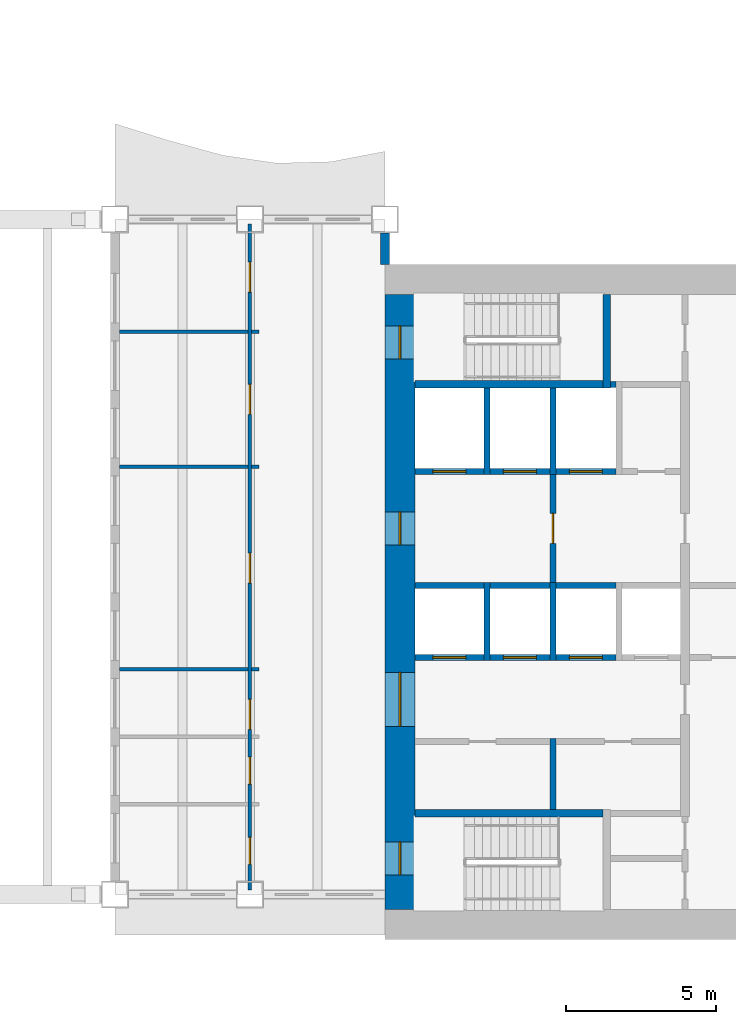
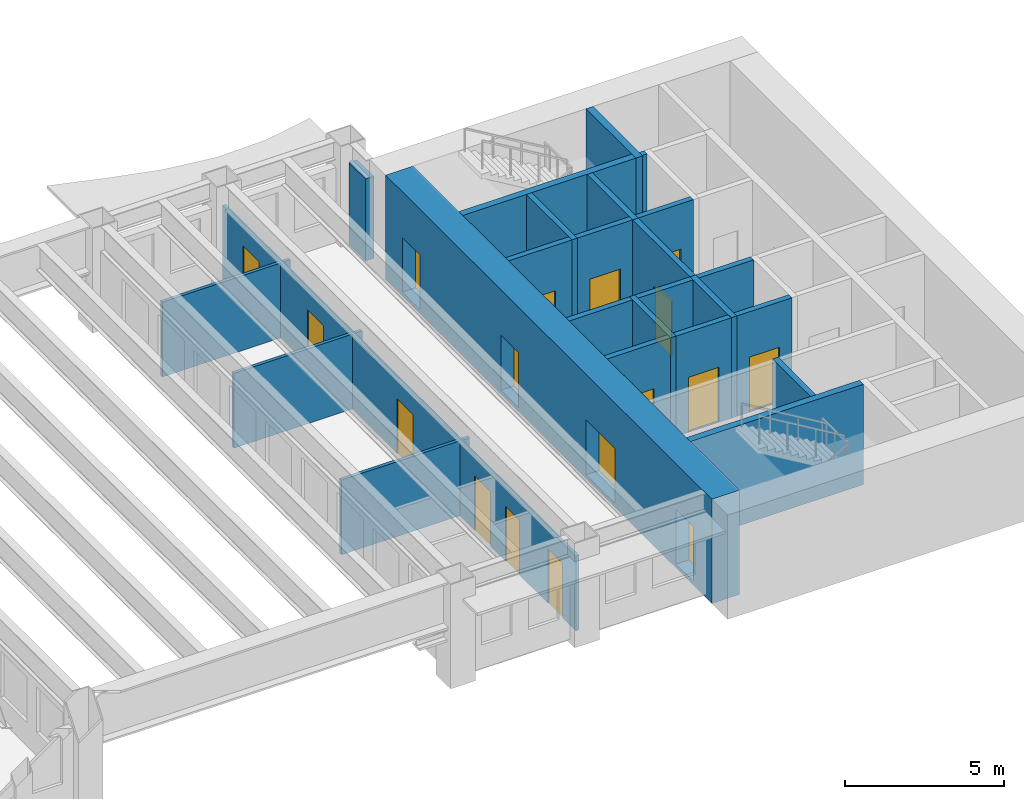
# One storey, part 6 of 13: 28 walls, 17 doors, 17 openings.
"""IFC4 building model written with IfcOpenShell, lengths in metres."""

from ifc_helpers import new_model, si_unit, direction, frame, frame_2d, origin, place, context, subcontext, project, spatial, rectangle, extrude, material, layer, layer_set, type_object, element, fill, save


model = new_model("IFC4")

# Units and contexts
model_context = context("Model", 3, precision=1e-05, world=origin(), true_north=direction((0.0, 1.0)))
body_context = subcontext(model_context, "Body", "Model", "MODEL_VIEW")
ifc_project = project(units=[si_unit("LENGTHUNIT", "METRE"), si_unit("AREAUNIT", "SQUARE_METRE"), si_unit("VOLUMEUNIT", "CUBIC_METRE"), si_unit("PLANEANGLEUNIT", "RADIAN"), si_unit("MASSUNIT", "GRAM", prefix="KILO")], contexts=[model_context])

# Site, building, storey
site_placement = place(None, origin())
site = spatial("IfcSite", under=ifc_project, at=site_placement, CompositionType="ELEMENT")
building_placement = place(site_placement, origin())
building = spatial("IfcBuilding", under=site, at=building_placement, Name="Sennacour Bend Tower", CompositionType="ELEMENT")
storey_placement = place(building_placement, frame((0.0, 0.0, 147.0)))
storey = spatial("IfcBuildingStorey", under=building, at=storey_placement, Name="L33", CompositionType="ELEMENT", Elevation=147.0)

# Wall, openings, doors
ifc_material_1 = material(Name="Concrete C60/75", Category="concrete")
ifc_layer_1 = layer(ifc_material_1, 1.0, Name="Concrete C60/75", Category="concrete")
ifc_layer_set_1 = layer_set([ifc_layer_1], Name="Concrete C60/75")
wall_type_1 = type_object("IfcWallType", Name="Core wall 1000 C60/75", PredefinedType="SHEAR", material=ifc_layer_set_1)
wall_1_placement = place(storey_placement, frame((54.5, 1.0, -0.14990234375), z_axis=(0.0, 0.0, 1.0), x_axis=(0.0, 1.0, 0.0)))
wall_1 = element("IfcWall", 1, at=wall_1_placement, inside=storey, type_object=wall_type_1, Name="Core A wall L33 W", PredefinedType="SHEAR", context=body_context, shape_type="SweptSolid", body=[
    extrude(rectangle(XDim=20.5, YDim=1.0, at=frame_2d((10.25, 0.0))), origin(), (0.0, 0.0, 1.0), 4.0),
])
opening_1_placement = place(wall_1_placement, frame((6.10009765625, 0.0, 0.14990234375)))
opening_1 = element("IfcOpeningElement", 2, at=opening_1_placement, cuts=wall_1, Name="Opening CD", PredefinedType="OPENING", context=body_context, shape_type="SweptSolid", body=[
    extrude(rectangle(XDim=1.800048828125, YDim=2.10009765625, at=frame_2d((0.89990234375, 1.050048828125))), frame((0.0, 0.510009765625, 0.0), z_axis=(0.0, -1.0, 0.0), x_axis=(1.0, 0.0, 0.0)), (0.0, 0.0, 1.0), 1.02001953125),
])
opening_2_placement = place(wall_1_placement, frame((12.14990234375, 0.0, 0.14990234375)))
opening_2 = element("IfcOpeningElement", 3, at=opening_2_placement, cuts=wall_1, Name="Opening FD", PredefinedType="OPENING", context=body_context, shape_type="SweptSolid", body=[
    extrude(rectangle(XDim=1.10009765625, YDim=2.10009765625, at=frame_2d((0.550048828125, 1.050048828125))), frame((0.0, 0.510009765625, 0.0), z_axis=(0.0, -1.0, 0.0), x_axis=(1.0, 0.0, 0.0)), (0.0, 0.0, 1.0), 1.02001953125),
])
opening_3_placement = place(wall_1_placement, frame((1.14990234375, 0.0, 0.14990234375)))
opening_3 = element("IfcOpeningElement", 4, at=opening_3_placement, cuts=wall_1, Name="Opening SD", PredefinedType="OPENING", context=body_context, shape_type="SweptSolid", body=[
    extrude(rectangle(XDim=1.10009765625, YDim=2.10009765625, at=frame_2d((0.550048828125, 1.050048828125))), frame((0.0, 0.510009765625, 0.0), z_axis=(0.0, -1.0, 0.0), x_axis=(1.0, 0.0, 0.0)), (0.0, 0.0, 1.0), 1.02001953125),
])
opening_4_placement = place(wall_1_placement, frame((18.35009765625, 0.0, 0.14990234375)))
opening_4 = element("IfcOpeningElement", 5, at=opening_4_placement, cuts=wall_1, Name="Opening SD", PredefinedType="OPENING", context=body_context, shape_type="SweptSolid", body=[
    extrude(rectangle(XDim=1.10009765625, YDim=2.10009765625, at=frame_2d((0.550048828125, 1.050048828125))), frame((0.0, 0.510009765625, 0.0), z_axis=(0.0, -1.0, 0.0), x_axis=(1.0, 0.0, 0.0)), (0.0, 0.0, 1.0), 1.02001953125),
])
ifc_material_2 = material(Name="Painted steel", Category="steel")
door_type_1 = type_object("IfcDoorType", Name="DR-FFL-1100", OperationType="NOTDEFINED", PredefinedType="DOOR", material=ifc_material_2)
door_1_placement = place(opening_2_placement, origin())
door_1 = element("IfcDoor", 6, at=door_1_placement, inside=storey, type_object=door_type_1, Name="Door", OperationType="SINGLE_SWING_RIGHT", OverallHeight=2.10009765625, OverallWidth=1.10009765625, PredefinedType="DOOR", context=body_context, shape_type="SweptSolid", body=[
    extrude(rectangle(XDim=1.10009765625, YDim=2.10009765625, at=frame_2d((0.550048828125, 1.050048828125))), frame((0.0, 0.02490234375, 0.0), z_axis=(0.0, -1.0, 0.0), x_axis=(1.0, 0.0, 0.0)), (0.0, 0.0, 1.0), 0.050048828125),
])
fill(opening_2, door_1)
door_type_2 = type_object("IfcDoorType", Name="DR-LOBBY-1800", OperationType="NOTDEFINED", PredefinedType="DOOR", material=ifc_material_2)
door_2_placement = place(opening_1_placement, origin())
door_2 = element("IfcDoor", 7, at=door_2_placement, inside=storey, type_object=door_type_2, Name="Door", OperationType="DOUBLE_DOOR_SINGLE_SWING", OverallHeight=2.10009765625, OverallWidth=1.800048828125, PredefinedType="DOOR", context=body_context, shape_type="SweptSolid", body=[
    extrude(rectangle(XDim=1.800048828125, YDim=2.10009765625, at=frame_2d((0.89990234375, 1.050048828125))), frame((0.0, 0.02490234375, 0.0), z_axis=(0.0, -1.0, 0.0), x_axis=(1.0, 0.0, 0.0)), (0.0, 0.0, 1.0), 0.050048828125),
])
fill(opening_1, door_2)
door_type_3 = type_object("IfcDoorType", Name="DR-STAIR-1100", OperationType="NOTDEFINED", PredefinedType="DOOR", material=ifc_material_2)
door_3_placement = place(opening_3_placement, origin())
door_3 = element("IfcDoor", 8, at=door_3_placement, inside=storey, type_object=door_type_3, Name="Door", OperationType="SINGLE_SWING_LEFT", OverallHeight=2.10009765625, OverallWidth=1.10009765625, PredefinedType="DOOR", context=body_context, shape_type="SweptSolid", body=[
    extrude(rectangle(XDim=1.10009765625, YDim=2.10009765625, at=frame_2d((0.550048828125, 1.050048828125))), frame((0.0, 0.02490234375, 0.0), z_axis=(0.0, -1.0, 0.0), x_axis=(1.0, 0.0, 0.0)), (0.0, 0.0, 1.0), 0.050048828125),
])
fill(opening_3, door_3)
door_4_placement = place(opening_4_placement, origin())
door_4 = element("IfcDoor", 9, at=door_4_placement, inside=storey, type_object=door_type_3, Name="Door", OperationType="SINGLE_SWING_RIGHT", OverallHeight=2.10009765625, OverallWidth=1.10009765625, PredefinedType="DOOR", context=body_context, shape_type="SweptSolid", body=[
    extrude(rectangle(XDim=1.10009765625, YDim=2.10009765625, at=frame_2d((0.550048828125, 1.050048828125))), frame((0.0, 0.02490234375, 0.0), z_axis=(0.0, -1.0, 0.0), x_axis=(1.0, 0.0, 0.0)), (0.0, 0.0, 1.0), 0.050048828125),
])
fill(opening_4, door_4)

ifc_material_3 = material(Name="Plasterboard partition on steel studs", Category="steel")
ifc_layer_2 = layer(ifc_material_3, 0.1201171875, Name="Plasterboard partition on steel studs", Category="steel")
ifc_layer_set_2 = layer_set([ifc_layer_2], Name="Plasterboard partition on steel studs")
wall_type_2 = type_object("IfcWallType", Name="Partition 120", PredefinedType="PARTITIONING", material=ifc_layer_set_2)
wall_2_placement = place(storey_placement, frame((49.5, 1.64990234375, 0.0), z_axis=(0.0, 0.0, 1.0), x_axis=(0.0, 1.0, 0.0)))
wall_2 = element("IfcWall", 10, at=wall_2_placement, inside=storey, type_object=wall_type_2, Name="P-L33-W030a", PredefinedType="PARTITIONING", context=body_context, shape_type="SweptSolid", body=[
    extrude(rectangle(XDim=22.2001953125, YDim=0.1201171875, at=frame_2d((11.10009765625, 0.0))), origin(), (0.0, 0.0, 1.0), 2.8701171875),
])
opening_5_placement = place(wall_2_placement, frame((0.85009765625, 0.0, 0.0)))
opening_5 = element("IfcOpeningElement", 11, at=opening_5_placement, cuts=wall_2, Name="Opening WD", PredefinedType="OPENING", context=body_context, shape_type="SweptSolid", body=[
    extrude(rectangle(XDim=0.89990234375, YDim=2.10009765625, at=frame_2d((0.449951171875, 1.050048828125))), frame((0.0, 0.070068359375, 0.0), z_axis=(0.0, -1.0, 0.0), x_axis=(1.0, 0.0, 0.0)), (0.0, 0.0, 1.0), 0.14013671875),
])
opening_6_placement = place(wall_2_placement, frame((3.525146484375, 0.0, 0.0)))
opening_6 = element("IfcOpeningElement", 12, at=opening_6_placement, cuts=wall_2, Name="Opening WD", PredefinedType="OPENING", context=body_context, shape_type="SweptSolid", body=[
    extrude(rectangle(XDim=0.89990234375, YDim=2.10009765625, at=frame_2d((0.449951171875, 1.050048828125))), frame((0.0, 0.070068359375, 0.0), z_axis=(0.0, -1.0, 0.0), x_axis=(1.0, 0.0, 0.0)), (0.0, 0.0, 1.0), 0.14013671875),
])
opening_7_placement = place(wall_2_placement, frame((5.35009765625, 0.0, 0.0)))
opening_7 = element("IfcOpeningElement", 13, at=opening_7_placement, cuts=wall_2, Name="Opening AD", PredefinedType="OPENING", context=body_context, shape_type="SweptSolid", body=[
    extrude(rectangle(XDim=1.0, YDim=2.10009765625, at=frame_2d((0.5, 1.050048828125))), frame((0.0, 0.070068359375, 0.0), z_axis=(0.0, -1.0, 0.0), x_axis=(1.0, 0.0, 0.0)), (0.0, 0.0, 1.0), 0.14013671875),
])
opening_8_placement = place(wall_2_placement, frame((10.22509765625, 0.0, 0.0)))
opening_8 = element("IfcOpeningElement", 14, at=opening_8_placement, cuts=wall_2, Name="Opening MD2", PredefinedType="OPENING", context=body_context, shape_type="SweptSolid", body=[
    extrude(rectangle(XDim=1.0, YDim=2.10009765625, at=frame_2d((0.5, 1.050048828125))), frame((0.0, 0.070068359375, 0.0), z_axis=(0.0, -1.0, 0.0), x_axis=(1.0, 0.0, 0.0)), (0.0, 0.0, 1.0), 0.14013671875),
])
opening_9_placement = place(wall_2_placement, frame((15.85009765625, 0.0, 0.0)))
opening_9 = element("IfcOpeningElement", 15, at=opening_9_placement, cuts=wall_2, Name="Opening OD2", PredefinedType="OPENING", context=body_context, shape_type="SweptSolid", body=[
    extrude(rectangle(XDim=1.0, YDim=2.10009765625, at=frame_2d((0.5, 1.050048828125))), frame((0.0, 0.070068359375, 0.0), z_axis=(0.0, -1.0, 0.0), x_axis=(1.0, 0.0, 0.0)), (0.0, 0.0, 1.0), 0.14013671875),
])
opening_10_placement = place(wall_2_placement, frame((19.920166015625, 0.0, 0.0)))
opening_10 = element("IfcOpeningElement", 16, at=opening_10_placement, cuts=wall_2, Name="Opening OD2", PredefinedType="OPENING", context=body_context, shape_type="SweptSolid", body=[
    extrude(rectangle(XDim=1.0, YDim=2.10009765625, at=frame_2d((0.5, 1.050048828125))), frame((0.0, 0.070068359375, 0.0), z_axis=(0.0, -1.0, 0.0), x_axis=(1.0, 0.0, 0.0)), (0.0, 0.0, 1.0), 0.14013671875),
])
ifc_material_4 = material(Name="Timber", Category="wood")
door_type_4 = type_object("IfcDoorType", Name="DR-ACC-WC-1000", OperationType="NOTDEFINED", PredefinedType="DOOR", material=ifc_material_4)
door_5_placement = place(opening_7_placement, origin())
door_5 = element("IfcDoor", 17, at=door_5_placement, inside=storey, type_object=door_type_4, Name="Door", OperationType="SINGLE_SWING_LEFT", OverallHeight=2.10009765625, OverallWidth=1.0, PredefinedType="DOOR", context=body_context, shape_type="SweptSolid", body=[
    extrude(rectangle(XDim=1.0, YDim=2.10009765625, at=frame_2d((0.5, 1.050048828125))), frame((0.0, 0.02490234375, 0.0), z_axis=(0.0, -1.0, 0.0), x_axis=(1.0, 0.0, 0.0)), (0.0, 0.0, 1.0), 0.050048828125),
])
fill(opening_7, door_5)
door_type_5 = type_object("IfcDoorType", Name="DR-MEETING-1000", OperationType="NOTDEFINED", PredefinedType="DOOR", material=ifc_material_4)
door_6_placement = place(opening_8_placement, origin())
door_6 = element("IfcDoor", 18, at=door_6_placement, inside=storey, type_object=door_type_5, Name="Door", OperationType="SINGLE_SWING_LEFT", OverallHeight=2.10009765625, OverallWidth=1.0, PredefinedType="DOOR", context=body_context, shape_type="SweptSolid", body=[
    extrude(rectangle(XDim=1.0, YDim=2.10009765625, at=frame_2d((0.5, 1.050048828125))), frame((0.0, 0.02490234375, 0.0), z_axis=(0.0, -1.0, 0.0), x_axis=(1.0, 0.0, 0.0)), (0.0, 0.0, 1.0), 0.050048828125),
])
fill(opening_8, door_6)
door_type_6 = type_object("IfcDoorType", Name="DR-OFFICE-1000", OperationType="NOTDEFINED", PredefinedType="DOOR", material=ifc_material_4)
door_7_placement = place(opening_9_placement, origin())
door_7 = element("IfcDoor", 19, at=door_7_placement, inside=storey, type_object=door_type_6, Name="Door", OperationType="SINGLE_SWING_RIGHT", OverallHeight=2.10009765625, OverallWidth=1.0, PredefinedType="DOOR", context=body_context, shape_type="SweptSolid", body=[
    extrude(rectangle(XDim=1.0, YDim=2.10009765625, at=frame_2d((0.5, 1.050048828125))), frame((0.0, 0.02490234375, 0.0), z_axis=(0.0, -1.0, 0.0), x_axis=(1.0, 0.0, 0.0)), (0.0, 0.0, 1.0), 0.050048828125),
])
fill(opening_9, door_7)
door_8_placement = place(opening_10_placement, origin())
door_8 = element("IfcDoor", 20, at=door_8_placement, inside=storey, type_object=door_type_6, Name="Door", OperationType="SINGLE_SWING_RIGHT", OverallHeight=2.10009765625, OverallWidth=1.0, PredefinedType="DOOR", context=body_context, shape_type="SweptSolid", body=[
    extrude(rectangle(XDim=1.0, YDim=2.10009765625, at=frame_2d((0.5, 1.050048828125))), frame((0.0, 0.02490234375, 0.0), z_axis=(0.0, -1.0, 0.0), x_axis=(1.0, 0.0, 0.0)), (0.0, 0.0, 1.0), 0.050048828125),
])
fill(opening_10, door_8)
door_type_7 = type_object("IfcDoorType", Name="DR-WC-900", OperationType="NOTDEFINED", PredefinedType="DOOR", material=ifc_material_4)
door_9_placement = place(opening_5_placement, origin())
door_9 = element("IfcDoor", 21, at=door_9_placement, inside=storey, type_object=door_type_7, Name="Door", OperationType="SINGLE_SWING_LEFT", OverallHeight=2.10009765625, OverallWidth=0.89990234375, PredefinedType="DOOR", context=body_context, shape_type="SweptSolid", body=[
    extrude(rectangle(XDim=0.89990234375, YDim=2.10009765625, at=frame_2d((0.449951171875, 1.050048828125))), frame((0.0, 0.02490234375, 0.0), z_axis=(0.0, -1.0, 0.0), x_axis=(1.0, 0.0, 0.0)), (0.0, 0.0, 1.0), 0.050048828125),
])
fill(opening_5, door_9)
door_10_placement = place(opening_6_placement, origin())
door_10 = element("IfcDoor", 22, at=door_10_placement, inside=storey, type_object=door_type_7, Name="Door", OperationType="SINGLE_SWING_LEFT", OverallHeight=2.10009765625, OverallWidth=0.89990234375, PredefinedType="DOOR", context=body_context, shape_type="SweptSolid", body=[
    extrude(rectangle(XDim=0.89990234375, YDim=2.10009765625, at=frame_2d((0.449951171875, 1.050048828125))), frame((0.0, 0.02490234375, 0.0), z_axis=(0.0, -1.0, 0.0), x_axis=(1.0, 0.0, 0.0)), (0.0, 0.0, 1.0), 0.050048828125),
])
fill(opening_6, door_10)

# Walls
wall_3_placement = place(storey_placement, frame((45.14990234375, 9.0, 0.0), z_axis=(0.0, 0.0, 1.0), x_axis=(1.0, 0.0, 0.0)))
element("IfcWall", 23, at=wall_3_placement, inside=storey, type_object=wall_type_2, Name="P-L33-W057aa", PredefinedType="PARTITIONING", context=body_context, shape_type="SweptSolid", body=[
    extrude(rectangle(XDim=4.2900390625, YDim=0.1201171875, at=frame_2d((2.14501953125, 0.0))), origin(), (0.0, 0.0, 1.0), 2.8701171875),
])
wall_4_placement = place(storey_placement, frame((49.56005859375, 9.0, 0.0), z_axis=(0.0, 0.0, 1.0), x_axis=(1.0, 0.0, 0.0)))
element("IfcWall", 24, at=wall_4_placement, inside=storey, type_object=wall_type_2, Name="P-L33-W057ab", PredefinedType="PARTITIONING", context=body_context, shape_type="SweptSolid", body=[
    extrude(rectangle(XDim=0.239990234375, YDim=0.1201171875, at=frame_2d((0.1201171875, 0.0))), origin(), (0.0, 0.0, 1.0), 2.8701171875),
])
wall_5_placement = place(storey_placement, frame((45.14990234375, 15.75, 0.0), z_axis=(0.0, 0.0, 1.0), x_axis=(1.0, 0.0, 0.0)))
element("IfcWall", 25, at=wall_5_placement, inside=storey, type_object=wall_type_2, Name="P-L33-W066aa", PredefinedType="PARTITIONING", context=body_context, shape_type="SweptSolid", body=[
    extrude(rectangle(XDim=4.2900390625, YDim=0.1201171875, at=frame_2d((2.14501953125, 0.0))), origin(), (0.0, 0.0, 1.0), 2.8701171875),
])
wall_6_placement = place(storey_placement, frame((49.56005859375, 15.75, 0.0), z_axis=(0.0, 0.0, 1.0), x_axis=(1.0, 0.0, 0.0)))
element("IfcWall", 26, at=wall_6_placement, inside=storey, type_object=wall_type_2, Name="P-L33-W066ab", PredefinedType="PARTITIONING", context=body_context, shape_type="SweptSolid", body=[
    extrude(rectangle(XDim=0.239990234375, YDim=0.1201171875, at=frame_2d((0.1201171875, 0.0))), origin(), (0.0, 0.0, 1.0), 2.8701171875),
])
wall_7_placement = place(storey_placement, frame((45.14990234375, 20.25, 0.0), z_axis=(0.0, 0.0, 1.0), x_axis=(1.0, 0.0, 0.0)))
element("IfcWall", 27, at=wall_7_placement, inside=storey, type_object=wall_type_2, Name="P-L33-W071aa", PredefinedType="PARTITIONING", context=body_context, shape_type="SweptSolid", body=[
    extrude(rectangle(XDim=4.2900390625, YDim=0.1201171875, at=frame_2d((2.14501953125, 0.0))), origin(), (0.0, 0.0, 1.0), 2.8701171875),
])
wall_8_placement = place(storey_placement, frame((49.56005859375, 20.25, 0.0), z_axis=(0.0, 0.0, 1.0), x_axis=(1.0, 0.0, 0.0)))
element("IfcWall", 28, at=wall_8_placement, inside=storey, type_object=wall_type_2, Name="P-L33-W071ab", PredefinedType="PARTITIONING", context=body_context, shape_type="SweptSolid", body=[
    extrude(rectangle(XDim=0.239990234375, YDim=0.1201171875, at=frame_2d((0.1201171875, 0.0))), origin(), (0.0, 0.0, 1.0), 2.8701171875),
])
ifc_material_5 = material(Name="Fire-rated plasterboard partition on steel studs", Category="steel")
ifc_layer_3 = layer(ifc_material_5, 0.199951171875, Name="Fire-rated plasterboard partition on steel studs", Category="steel")
ifc_layer_set_3 = layer_set([ifc_layer_3], Name="Fire-rated plasterboard partition on steel studs")
wall_type_3 = type_object("IfcWallType", Name="Rated partition 200", PredefinedType="PARTITIONING", material=ifc_layer_set_3)
wall_9_placement = place(storey_placement, frame((59.60009765625, 4.324951171875, 0.0), z_axis=(0.0, 0.0, 1.0), x_axis=(0.0, 1.0, 0.0)))
element("IfcWall", 29, at=wall_9_placement, inside=storey, type_object=wall_type_3, Name="P-L33-W034", PredefinedType="PARTITIONING", context=body_context, shape_type="SweptSolid", body=[
    extrude(rectangle(XDim=2.375, YDim=0.199951171875, at=frame_2d((1.1875, 0.0))), origin(), (0.0, 0.0, 1.0), 3.85009765625),
])

# Wall, opening, door
ifc_layer_4 = layer(ifc_material_5, 0.199951171875, Name="Fire-rated plasterboard partition on steel studs", Category="steel")
ifc_layer_set_4 = layer_set([ifc_layer_4], Name="Fire-rated plasterboard partition on steel studs")
wall_type_4 = type_object("IfcWallType", Name="Rated partition 200 EI 90", PredefinedType="PARTITIONING", material=ifc_layer_set_4)
wall_10_placement = place(storey_placement, frame((59.60009765625, 11.89990234375, 0.0), z_axis=(0.0, 0.0, 1.0), x_axis=(0.0, 1.0, 0.0)))
wall_10 = element("IfcWall", 30, at=wall_10_placement, inside=storey, type_object=wall_type_4, Name="P-L33-W036", PredefinedType="PARTITIONING", context=body_context, shape_type="SweptSolid", body=[
    extrude(rectangle(XDim=3.60009765625, YDim=0.199951171875, at=frame_2d((1.800048828125, 0.0))), origin(), (0.0, 0.0, 1.0), 3.85009765625),
])
opening_11_placement = place(wall_10_placement, frame((1.300048828125, 0.0, 0.0)))
opening_11 = element("IfcOpeningElement", 31, at=opening_11_placement, cuts=wall_10, Name="Opening FD2", PredefinedType="OPENING", context=body_context, shape_type="SweptSolid", body=[
    extrude(rectangle(XDim=1.0, YDim=2.10009765625, at=frame_2d((0.5, 1.050048828125))), frame((0.0, 0.10986328125, 0.0), z_axis=(0.0, -1.0, 0.0), x_axis=(1.0, 0.0, 0.0)), (0.0, 0.0, 1.0), 0.219970703125),
])
door_type_8 = type_object("IfcDoorType", Name="DR-FFL-1000", OperationType="NOTDEFINED", PredefinedType="DOOR", material=ifc_material_2)
door_11_placement = place(opening_11_placement, origin())
door_11 = element("IfcDoor", 32, at=door_11_placement, inside=storey, type_object=door_type_8, Name="Door", OperationType="SINGLE_SWING_LEFT", OverallHeight=2.10009765625, OverallWidth=1.0, PredefinedType="DOOR", context=body_context, shape_type="SweptSolid", body=[
    extrude(rectangle(XDim=1.0, YDim=2.10009765625, at=frame_2d((0.5, 1.050048828125))), frame((0.0, 0.02490234375, 0.0), z_axis=(0.0, -1.0, 0.0), x_axis=(1.0, 0.0, 0.0)), (0.0, 0.0, 1.0), 0.050048828125),
])
fill(opening_11, door_11)

# Walls
ifc_material_6 = material(Name="Warm limestone cladding", Category="masonry")
ifc_layer_5 = layer(ifc_material_6, 0.050048828125, Name="Warm limestone cladding", Category="masonry")
ifc_material_7 = material(Name="Precast concrete C40/50", Category="concrete")
ifc_layer_6 = layer(ifc_material_7, 0.25, Name="Precast concrete C40/50", Category="concrete")
ifc_layer_set_5 = layer_set([ifc_layer_5, ifc_layer_6], Name="Precast concrete C40/50 with limestone cladding")
wall_type_5 = type_object("IfcWallType", Name="STONE-CLAD PRECAST SPANDREL 300", PredefinedType="STANDARD", material=ifc_layer_set_5)
wall_11_placement = place(storey_placement, frame((54.0, 22.5, 0.0), z_axis=(0.0, 0.0, 1.0), x_axis=(0.0, 1.0, 0.0)))
element("IfcWall", 33, at=wall_11_placement, inside=storey, type_object=wall_type_5, Name="Stone spandrel and pier wall L33 05.00", PredefinedType="STANDARD", context=body_context, shape_type="SweptSolid", body=[
    extrude(rectangle(XDim=1.050048828125, YDim=0.300048828125, at=frame_2d((0.52490234375, 0.0))), origin(), (0.0, 0.0, 1.0), 3.14892578125),
])
ifc_material_8 = material(Name="Concrete C50/60", Category="concrete")
ifc_layer_7 = layer(ifc_material_8, 0.199951171875, Name="Concrete C50/60", Category="concrete")
ifc_layer_set_6 = layer_set([ifc_layer_7], Name="Concrete C50/60")
wall_type_6 = type_object("IfcWallType", Name="Shaft wall 200", PredefinedType="SOLIDWALL", material=ifc_layer_set_6)
wall_12_placement = place(storey_placement, frame((57.39990234375, 9.300048828125, 0.0), z_axis=(0.0, 0.0, 1.0), x_axis=(0.0, 1.0, 0.0)))
element("IfcWall", 34, at=wall_12_placement, inside=storey, type_object=wall_type_6, Name="P-L33-W032", PredefinedType="SOLIDWALL", context=body_context, shape_type="SweptSolid", body=[
    extrude(rectangle(XDim=2.599853515625, YDim=0.199951171875, at=frame_2d((1.2998046875, 0.0))), origin(), (0.0, 0.0, 1.0), 3.85009765625),
])
wall_13_placement = place(storey_placement, frame((57.39990234375, 15.5, 0.0), z_axis=(0.0, 0.0, 1.0), x_axis=(0.0, 1.0, 0.0)))
element("IfcWall", 35, at=wall_13_placement, inside=storey, type_object=wall_type_6, Name="P-L33-W033", PredefinedType="SOLIDWALL", context=body_context, shape_type="SweptSolid", body=[
    extrude(rectangle(XDim=2.875, YDim=0.199951171875, at=frame_2d((1.4375, 0.0))), origin(), (0.0, 0.0, 1.0), 3.85009765625),
])
wall_14_placement = place(storey_placement, frame((59.60009765625, 9.300048828125, 0.0), z_axis=(0.0, 0.0, 1.0), x_axis=(0.0, 1.0, 0.0)))
element("IfcWall", 36, at=wall_14_placement, inside=storey, type_object=wall_type_6, Name="P-L33-W035", PredefinedType="SOLIDWALL", context=body_context, shape_type="SweptSolid", body=[
    extrude(rectangle(XDim=2.599853515625, YDim=0.199951171875, at=frame_2d((1.2998046875, 0.0))), origin(), (0.0, 0.0, 1.0), 3.85009765625),
])
wall_15_placement = place(storey_placement, frame((59.60009765625, 15.5, 0.0), z_axis=(0.0, 0.0, 1.0), x_axis=(0.0, 1.0, 0.0)))
element("IfcWall", 37, at=wall_15_placement, inside=storey, type_object=wall_type_6, Name="P-L33-W037", PredefinedType="SOLIDWALL", context=body_context, shape_type="SweptSolid", body=[
    extrude(rectangle(XDim=2.875, YDim=0.199951171875, at=frame_2d((1.4375, 0.0))), origin(), (0.0, 0.0, 1.0), 3.85009765625),
])

# Wall, opening, door
wall_16_placement = place(storey_placement, frame((55.0, 9.39990234375, 0.0), z_axis=(0.0, 0.0, 1.0), x_axis=(1.0, 0.0, 0.0)))
wall_16 = element("IfcWall", 38, at=wall_16_placement, inside=storey, type_object=wall_type_6, Name="P-L33-W058a", PredefinedType="SOLIDWALL", context=body_context, shape_type="SweptSolid", body=[
    extrude(rectangle(XDim=2.300048828125, YDim=0.199951171875, at=frame_2d((1.14990234375, 0.0))), origin(), (0.0, 0.0, 1.0), 3.85009765625),
])
opening_12_placement = place(wall_16_placement, frame((0.60009765625, 0.0, 0.011962890625)))
opening_12 = element("IfcOpeningElement", 39, at=opening_12_placement, cuts=wall_16, Name="Opening LD", PredefinedType="OPENING", context=body_context, shape_type="SweptSolid", body=[
    extrude(rectangle(XDim=1.10009765625, YDim=2.10009765625, at=frame_2d((0.550048828125, 1.050048828125))), frame((0.0, 0.10986328125, 0.0), z_axis=(0.0, -1.0, 0.0), x_axis=(1.0, 0.0, 0.0)), (0.0, 0.0, 1.0), 0.219970703125),
])
ifc_material_9 = material(Name="Stainless steel", Category="steel")
door_type_9 = type_object("IfcDoorType", Name="DR-LANDING-1100", OperationType="NOTDEFINED", PredefinedType="DOOR", material=ifc_material_9)
door_12_placement = place(opening_12_placement, origin())
door_12 = element("IfcDoor", 40, at=door_12_placement, inside=storey, type_object=door_type_9, Name="Lift landing door HA1", OperationType="SLIDING_TO_LEFT", OverallHeight=2.10009765625, OverallWidth=1.10009765625, PredefinedType="DOOR", context=body_context, shape_type="SweptSolid", body=[
    extrude(rectangle(XDim=1.10009765625, YDim=2.10009765625, at=frame_2d((0.550048828125, 1.050048828125))), frame((0.0, 0.02490234375, 0.0), z_axis=(0.0, -1.0, 0.0), x_axis=(1.0, 0.0, 0.0)), (0.0, 0.0, 1.0), 0.050048828125),
])
fill(opening_12, door_12)

wall_17_placement = place(storey_placement, frame((57.5, 9.39990234375, 0.0), z_axis=(0.0, 0.0, 1.0), x_axis=(1.0, 0.0, 0.0)))
wall_17 = element("IfcWall", 41, at=wall_17_placement, inside=storey, type_object=wall_type_6, Name="P-L33-W058b", PredefinedType="SOLIDWALL", context=body_context, shape_type="SweptSolid", body=[
    extrude(rectangle(XDim=2.0, YDim=0.199951171875, at=frame_2d((1.0, 0.0))), origin(), (0.0, 0.0, 1.0), 3.85009765625),
])
opening_13_placement = place(wall_17_placement, frame((0.449951171875, 0.0, 0.011962890625)))
opening_13 = element("IfcOpeningElement", 42, at=opening_13_placement, cuts=wall_17, Name="Opening LD", PredefinedType="OPENING", context=body_context, shape_type="SweptSolid", body=[
    extrude(rectangle(XDim=1.10009765625, YDim=2.10009765625, at=frame_2d((0.550048828125, 1.050048828125))), frame((0.0, 0.10986328125, 0.0), z_axis=(0.0, -1.0, 0.0), x_axis=(1.0, 0.0, 0.0)), (0.0, 0.0, 1.0), 0.219970703125),
])
door_13_placement = place(opening_13_placement, origin())
door_13 = element("IfcDoor", 43, at=door_13_placement, inside=storey, type_object=door_type_9, Name="Lift landing door HA2", OperationType="SLIDING_TO_RIGHT", OverallHeight=2.10009765625, OverallWidth=1.10009765625, PredefinedType="DOOR", context=body_context, shape_type="SweptSolid", body=[
    extrude(rectangle(XDim=1.10009765625, YDim=2.10009765625, at=frame_2d((0.550048828125, 1.050048828125))), frame((0.0, 0.02490234375, 0.0), z_axis=(0.0, -1.0, 0.0), x_axis=(1.0, 0.0, 0.0)), (0.0, 0.0, 1.0), 0.050048828125),
])
fill(opening_13, door_13)

wall_18_placement = place(storey_placement, frame((59.699951171875, 9.39990234375, 0.0), z_axis=(0.0, 0.0, 1.0), x_axis=(1.0, 0.0, 0.0)))
wall_18 = element("IfcWall", 44, at=wall_18_placement, inside=storey, type_object=wall_type_6, Name="P-L33-W058c", PredefinedType="SOLIDWALL", context=body_context, shape_type="SweptSolid", body=[
    extrude(rectangle(XDim=2.0, YDim=0.199951171875, at=frame_2d((1.0, 0.0))), origin(), (0.0, 0.0, 1.0), 3.85009765625),
])
opening_14_placement = place(wall_18_placement, frame((0.449951171875, 0.0, 0.011962890625)))
opening_14 = element("IfcOpeningElement", 45, at=opening_14_placement, cuts=wall_18, Name="Opening LD", PredefinedType="OPENING", context=body_context, shape_type="SweptSolid", body=[
    extrude(rectangle(XDim=1.10009765625, YDim=2.10009765625, at=frame_2d((0.550048828125, 1.050048828125))), frame((0.0, 0.10986328125, 0.0), z_axis=(0.0, -1.0, 0.0), x_axis=(1.0, 0.0, 0.0)), (0.0, 0.0, 1.0), 0.219970703125),
])
door_14_placement = place(opening_14_placement, origin())
door_14 = element("IfcDoor", 46, at=door_14_placement, inside=storey, type_object=door_type_9, Name="Lift landing door HA3", OperationType="SLIDING_TO_LEFT", OverallHeight=2.10009765625, OverallWidth=1.10009765625, PredefinedType="DOOR", context=body_context, shape_type="SweptSolid", body=[
    extrude(rectangle(XDim=1.10009765625, YDim=2.10009765625, at=frame_2d((0.550048828125, 1.050048828125))), frame((0.0, 0.02490234375, 0.0), z_axis=(0.0, -1.0, 0.0), x_axis=(1.0, 0.0, 0.0)), (0.0, 0.0, 1.0), 0.050048828125),
])
fill(opening_14, door_14)

# Walls
wall_19_placement = place(storey_placement, frame((55.0, 11.800048828125, 0.0), z_axis=(0.0, 0.0, 1.0), x_axis=(1.0, 0.0, 0.0)))
element("IfcWall", 47, at=wall_19_placement, inside=storey, type_object=wall_type_6, Name="P-L33-W061a", PredefinedType="SOLIDWALL", context=body_context, shape_type="SweptSolid", body=[
    extrude(rectangle(XDim=2.300048828125, YDim=0.199951171875, at=frame_2d((1.14990234375, 0.0))), origin(), (0.0, 0.0, 1.0), 3.85009765625),
])
for number, where, z_axis, x_axis, name in (
    (48, (57.5, 11.800048828125, 0.0), (0.0, 0.0, 1.0), (1.0, 0.0, 0.0), "P-L33-W061b"),
    (49, (59.699951171875, 11.800048828125, 0.0), (0.0, 0.0, 1.0), (1.0, 0.0, 0.0), "P-L33-W061c"),
):
    element("IfcWall", number, at=place(storey_placement, frame(where, z_axis=z_axis, x_axis=x_axis)), inside=storey, type_object=wall_type_6, Name=name, PredefinedType="SOLIDWALL", context=body_context, shape_type="SweptSolid", body=[
        extrude(rectangle(XDim=2.0, YDim=0.199951171875, at=frame_2d((1.0, 0.0))), origin(), (0.0, 0.0, 1.0), 3.85009765625),
    ])

# Wall, opening, door
wall_20_placement = place(storey_placement, frame((55.0, 15.60009765625, 0.0), z_axis=(0.0, 0.0, 1.0), x_axis=(1.0, 0.0, 0.0)))
wall_20 = element("IfcWall", 50, at=wall_20_placement, inside=storey, type_object=wall_type_6, Name="P-L33-W063a", PredefinedType="SOLIDWALL", context=body_context, shape_type="SweptSolid", body=[
    extrude(rectangle(XDim=2.300048828125, YDim=0.199951171875, at=frame_2d((1.14990234375, 0.0))), origin(), (0.0, 0.0, 1.0), 3.85009765625),
])
opening_15_placement = place(wall_20_placement, frame((0.60009765625, 0.0, 0.011962890625)))
opening_15 = element("IfcOpeningElement", 51, at=opening_15_placement, cuts=wall_20, Name="Opening FLD", PredefinedType="OPENING", context=body_context, shape_type="SweptSolid", body=[
    extrude(rectangle(XDim=1.10009765625, YDim=2.10009765625, at=frame_2d((0.550048828125, 1.050048828125))), frame((0.0, 0.10986328125, 0.0), z_axis=(0.0, -1.0, 0.0), x_axis=(1.0, 0.0, 0.0)), (0.0, 0.0, 1.0), 0.219970703125),
])
door_type_10 = type_object("IfcDoorType", Name="DR-FF-LANDING-1100", OperationType="NOTDEFINED", PredefinedType="DOOR", material=ifc_material_9)
door_15_placement = place(opening_15_placement, origin())
door_15 = element("IfcDoor", 52, at=door_15_placement, inside=storey, type_object=door_type_10, Name="Fire service lift landing door FA1", OperationType="SLIDING_TO_LEFT", OverallHeight=2.10009765625, OverallWidth=1.10009765625, PredefinedType="DOOR", context=body_context, shape_type="SweptSolid", body=[
    extrude(rectangle(XDim=1.10009765625, YDim=2.10009765625, at=frame_2d((0.550048828125, 1.050048828125))), frame((0.0, 0.02490234375, 0.0), z_axis=(0.0, -1.0, 0.0), x_axis=(1.0, 0.0, 0.0)), (0.0, 0.0, 1.0), 0.050048828125),
])
fill(opening_15, door_15)

wall_21_placement = place(storey_placement, frame((57.5, 15.60009765625, 0.0), z_axis=(0.0, 0.0, 1.0), x_axis=(1.0, 0.0, 0.0)))
wall_21 = element("IfcWall", 53, at=wall_21_placement, inside=storey, type_object=wall_type_6, Name="P-L33-W063b", PredefinedType="SOLIDWALL", context=body_context, shape_type="SweptSolid", body=[
    extrude(rectangle(XDim=2.0, YDim=0.199951171875, at=frame_2d((1.0, 0.0))), origin(), (0.0, 0.0, 1.0), 3.85009765625),
])
opening_16_placement = place(wall_21_placement, frame((0.449951171875, 0.0, 0.011962890625)))
opening_16 = element("IfcOpeningElement", 54, at=opening_16_placement, cuts=wall_21, Name="Opening FLD", PredefinedType="OPENING", context=body_context, shape_type="SweptSolid", body=[
    extrude(rectangle(XDim=1.10009765625, YDim=2.10009765625, at=frame_2d((0.550048828125, 1.050048828125))), frame((0.0, 0.10986328125, 0.0), z_axis=(0.0, -1.0, 0.0), x_axis=(1.0, 0.0, 0.0)), (0.0, 0.0, 1.0), 0.219970703125),
])
door_16_placement = place(opening_16_placement, origin())
door_16 = element("IfcDoor", 55, at=door_16_placement, inside=storey, type_object=door_type_10, Name="Fire service lift landing door FA2", OperationType="SLIDING_TO_RIGHT", OverallHeight=2.10009765625, OverallWidth=1.10009765625, PredefinedType="DOOR", context=body_context, shape_type="SweptSolid", body=[
    extrude(rectangle(XDim=1.10009765625, YDim=2.10009765625, at=frame_2d((0.550048828125, 1.050048828125))), frame((0.0, 0.02490234375, 0.0), z_axis=(0.0, -1.0, 0.0), x_axis=(1.0, 0.0, 0.0)), (0.0, 0.0, 1.0), 0.050048828125),
])
fill(opening_16, door_16)

wall_22_placement = place(storey_placement, frame((59.699951171875, 15.60009765625, 0.0), z_axis=(0.0, 0.0, 1.0), x_axis=(1.0, 0.0, 0.0)))
wall_22 = element("IfcWall", 56, at=wall_22_placement, inside=storey, type_object=wall_type_6, Name="P-L33-W063c", PredefinedType="SOLIDWALL", context=body_context, shape_type="SweptSolid", body=[
    extrude(rectangle(XDim=2.0, YDim=0.199951171875, at=frame_2d((1.0, 0.0))), origin(), (0.0, 0.0, 1.0), 3.85009765625),
])
opening_17_placement = place(wall_22_placement, frame((0.449951171875, 0.0, 0.011962890625)))
opening_17 = element("IfcOpeningElement", 57, at=opening_17_placement, cuts=wall_22, Name="Opening LD", PredefinedType="OPENING", context=body_context, shape_type="SweptSolid", body=[
    extrude(rectangle(XDim=1.10009765625, YDim=2.10009765625, at=frame_2d((0.550048828125, 1.050048828125))), frame((0.0, 0.10986328125, 0.0), z_axis=(0.0, -1.0, 0.0), x_axis=(1.0, 0.0, 0.0)), (0.0, 0.0, 1.0), 0.219970703125),
])
door_17_placement = place(opening_17_placement, origin())
door_17 = element("IfcDoor", 58, at=door_17_placement, inside=storey, type_object=door_type_9, Name="Lift landing door HA5", OperationType="SLIDING_TO_LEFT", OverallHeight=2.10009765625, OverallWidth=1.10009765625, PredefinedType="DOOR", context=body_context, shape_type="SweptSolid", body=[
    extrude(rectangle(XDim=1.10009765625, YDim=2.10009765625, at=frame_2d((0.550048828125, 1.050048828125))), frame((0.0, 0.02490234375, 0.0), z_axis=(0.0, -1.0, 0.0), x_axis=(1.0, 0.0, 0.0)), (0.0, 0.0, 1.0), 0.050048828125),
])
fill(opening_17, door_17)

# Walls
wall_23_placement = place(storey_placement, frame((61.52490234375, 18.5, 0.0), z_axis=(0.0, 0.0, 1.0), x_axis=(1.0, 0.0, 0.0)))
element("IfcWall", 59, at=wall_23_placement, inside=storey, type_object=wall_type_6, Name="P-L33-W068", PredefinedType="SOLIDWALL", context=body_context, shape_type="SweptSolid", body=[
    extrude(rectangle(XDim=0.175048828125, YDim=0.199951171875, at=frame_2d((0.08740234375, 0.0))), origin(), (0.0, 0.0, 1.0), 3.85009765625),
])
ifc_layer_8 = layer(ifc_material_1, 0.25, Name="Concrete C60/75", Category="concrete")
ifc_layer_set_7 = layer_set([ifc_layer_8], Name="Concrete C60/75")
wall_type_7 = type_object("IfcWallType", Name="Stair wall 250", PredefinedType="SHEAR", material=ifc_layer_set_7)
wall_24_placement = place(storey_placement, frame((61.39990234375, 18.375, 0.0), z_axis=(0.0, 0.0, 1.0), x_axis=(0.0, 1.0, 0.0)))
element("IfcWall", 60, at=wall_24_placement, inside=storey, type_object=wall_type_7, Name="P-L33-W039", PredefinedType="SHEAR", context=body_context, shape_type="SweptSolid", body=[
    extrude(rectangle(XDim=3.125, YDim=0.25, at=frame_2d((1.5625, 0.0))), origin(), (0.0, 0.0, 1.0), 3.85009765625),
])
for number, where, z_axis, x_axis, name in (
    (61, (55.0, 4.199951171875, 0.0), (0.0, 0.0, 1.0), (1.0, 0.0, 0.0), "P-L33-W051"),
    (62, (55.0, 18.5, 0.0), (0.0, 0.0, 1.0), (1.0, 0.0, 0.0), "P-L33-W067"),
):
    element("IfcWall", number, at=place(storey_placement, frame(where, z_axis=z_axis, x_axis=x_axis)), inside=storey, type_object=wall_type_7, Name=name, PredefinedType="SHEAR", context=body_context, shape_type="SweptSolid", body=[
        extrude(rectangle(XDim=6.27490234375, YDim=0.25, at=frame_2d((3.137451171875, 0.0))), origin(), (0.0, 0.0, 1.0), 3.85009765625),
    ])

save(model, "model.ifc")
